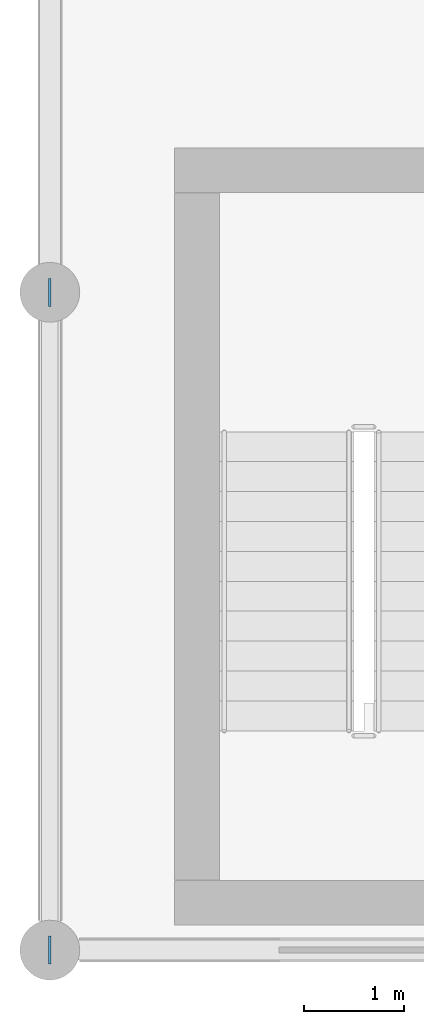
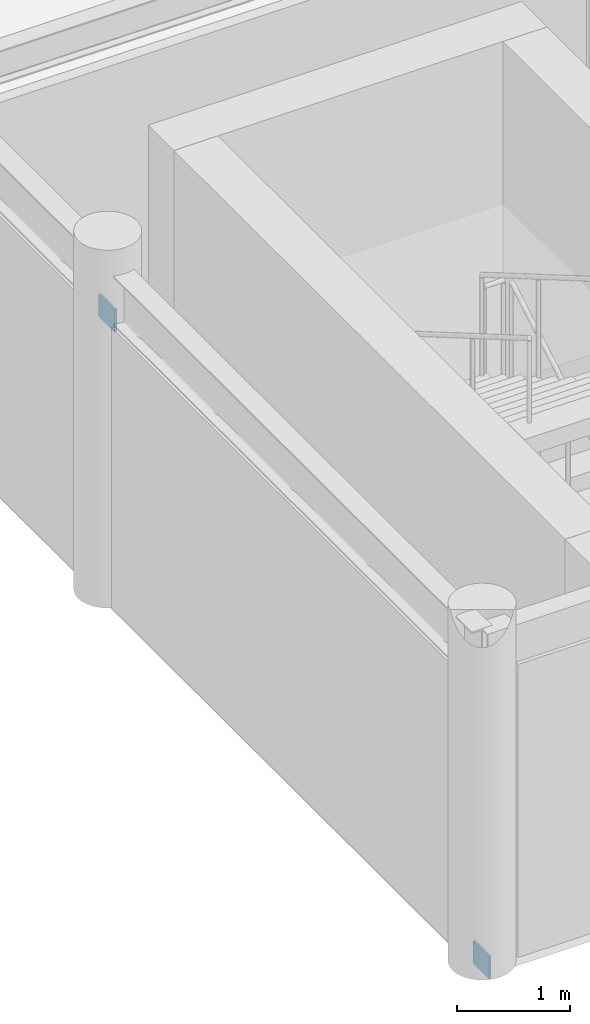
# One storey, part 13 of 17: 2 plates.
"""IFC4 building model written with IfcOpenShell, lengths in metres."""

import ifcopenshell
import ifcopenshell.guid

model = None  # the IFC model being written
_history = None  # IfcOwnerHistory: only IFC2X3 demands one
_inside = {}  # id of a spatial element -> (the spatial element, [elements in it])
_under = {}  # id of a project, library or spatial element -> (it, [spatial elements below it])
_declared = {}  # id of a project -> (the project, [libraries it declares])
_typed = {}  # id of a type object -> (the type object, [elements of that type])
_made_of = {}  # id of a material, layer set ... -> (it, [elements and type objects made of it])


def new_model(schema):
    """Start an empty IFC model of exactly this schema.

    Asked for "IFC4X3", IfcOpenShell would pick the latest addendum, in which some entities
    have other attributes; the version numbers below select the first issue.
    IFC2X3 requires an IfcOwnerHistory on every rooted entity: one is made here for all.
    """
    global model, _history
    if schema == "IFC4X3":
        model = ifcopenshell.file(schema_version=(4, 3, 0, 0))
    else:
        model = ifcopenshell.file(schema=schema)
    _inside.clear()
    _under.clear()
    _declared.clear()
    _typed.clear()
    _made_of.clear()
    _history = None
    if model.schema == "IFC2X3":
        org = make("IfcOrganization", Name="unknown")
        user = make(
            "IfcPersonAndOrganization",
            ThePerson=make("IfcPerson", FamilyName="unknown"),
            TheOrganization=org,
        )
        app = make(
            "IfcApplication",
            ApplicationDeveloper=org,
            Version="unknown",
            ApplicationFullName="unknown",
            ApplicationIdentifier="unknown",
        )
        _history = make(
            "IfcOwnerHistory",
            OwningUser=user,
            OwningApplication=app,
            ChangeAction="ADDED",
            CreationDate=0,
        )
    return model


def make(cls, **values):
    """One entity of the class cls with the attributes given. An attribute that is None is left unset."""
    return model.create_entity(
        cls, **{name: value for name, value in values.items() if value is not None}
    )


def rooted(cls, **values):
    """An entity with a GlobalId (a new one), such as an element, a storey or a relation."""
    return make(cls, GlobalId=ifcopenshell.guid.new(), OwnerHistory=_history, **values)


def si_unit(unit_type, name, prefix=None):
    """IfcSIUnit, for example si_unit("LENGTHUNIT", "METRE", prefix="MILLI")."""
    return make("IfcSIUnit", UnitType=unit_type, Prefix=prefix, Name=name)


def assignment(units):
    """IfcUnitAssignment: the units of a project."""
    return None if units is None else make("IfcUnitAssignment", Units=units)


def point(xyz):
    """IfcCartesianPoint."""
    return None if xyz is None else make("IfcCartesianPoint", Coordinates=xyz)


def direction(xyz):
    """IfcDirection."""
    return None if xyz is None else make("IfcDirection", DirectionRatios=xyz)


def frame(location, z_axis=None, x_axis=None):
    """IfcAxis2Placement3D, a coordinate frame: its origin and axes. An axis left out is left unset."""
    return make(
        "IfcAxis2Placement3D",
        Location=point(location),
        Axis=direction(z_axis),
        RefDirection=direction(x_axis),
    )


def frame_2d(location, x_axis=None):
    """IfcAxis2Placement2D, a coordinate frame in the plane: its origin and x axis."""
    return make(
        "IfcAxis2Placement2D", Location=point(location), RefDirection=direction(x_axis)
    )


def origin():
    """The frame at (0, 0, 0) with its axes left unset."""
    return frame((0.0, 0.0, 0.0))


def origin_2d():
    """The frame at (0, 0) in the plane with its x axis left unset."""
    return frame_2d((0.0, 0.0))


def place(relative_to, where):
    """IfcLocalPlacement: puts the frame where relative to a parent placement (None: the world)."""
    return make(
        "IfcLocalPlacement", PlacementRelTo=relative_to, RelativePlacement=where
    )


def context(
    kind, dimensions, precision=None, world=None, true_north=None, identifier=None
):
    """IfcGeometricRepresentationContext, for example the 3D "Model" context."""
    return make(
        "IfcGeometricRepresentationContext",
        ContextIdentifier=identifier,
        ContextType=kind,
        CoordinateSpaceDimension=dimensions,
        Precision=precision,
        WorldCoordinateSystem=world,
        TrueNorth=true_north,
    )


def subcontext(parent, identifier, kind, view, scale=None):
    """IfcGeometricRepresentationSubContext, for example "Body" below "Model"."""
    return make(
        "IfcGeometricRepresentationSubContext",
        ContextIdentifier=identifier,
        ContextType=kind,
        ParentContext=parent,
        TargetScale=scale,
        TargetView=view,
    )


def project(units=None, contexts=None):
    """IfcProject with its units and contexts."""
    return rooted(
        "IfcProject",
        Name="project",
        RepresentationContexts=contexts,
        UnitsInContext=assignment(units),
    )


def spatial(cls, under=None, at=None, **own):
    """A site, building, storey or space (cls), placed at a placement, below another one or the project."""
    s = rooted(cls, ObjectPlacement=at, **own)
    if under is not None:
        _under.setdefault(under.id(), (under, []))[1].append(s)
    return s


def profile(cls, at=None, kind="AREA", **sizes):
    """A parametric profile (cls). Its sizes go by their IFC names, for example OverallWidth=200.0."""
    return make(cls, ProfileType=kind, Position=at, **sizes)


def rectangle(**sizes):
    """IfcRectangleProfileDef."""
    return profile("IfcRectangleProfileDef", **sizes)


def extrude(swept, where, along, depth):
    """IfcExtrudedAreaSolid: the profile swept, set in the frame where, extruded along a direction by depth."""
    return make(
        "IfcExtrudedAreaSolid",
        SweptArea=swept,
        Position=where,
        ExtrudedDirection=direction(along),
        Depth=depth,
    )


def shape(context_of_items, identifier, shape_type, items):
    """IfcShapeRepresentation: the items that make up one representation, for example the "Body"."""
    return make(
        "IfcShapeRepresentation",
        ContextOfItems=context_of_items,
        RepresentationIdentifier=identifier,
        RepresentationType=shape_type,
        Items=items,
    )


def material(Name=None, Category=None):
    """IfcMaterial."""
    return make("IfcMaterial", Name=Name, Category=Category)


def layer(
    of_material, thickness, ventilated=None, Name=None, Category=None, Priority=None
):
    """IfcMaterialLayer: one layer of a wall or slab, of a material (None: an air gap)."""
    return make(
        "IfcMaterialLayer",
        Material=of_material,
        LayerThickness=thickness,
        IsVentilated=ventilated,
        Name=Name,
        Category=Category,
        Priority=Priority,
    )


def layer_set(layers, Name=None):
    """IfcMaterialLayerSet."""
    return make("IfcMaterialLayerSet", MaterialLayers=layers, LayerSetName=Name)


def made_of(thing, what):
    """Note that an element or type object is made of a material, layer set ...; save() writes the relation."""
    if what is not None:
        _made_of.setdefault(what.id(), (what, []))[1].append(thing)
    return thing


def type_object(cls, material=None, **own):
    """A type object (cls), such as IfcWallType, which elements share."""
    return made_of(rooted(cls, **own), material)


def element(
    cls,
    number,
    at=None,
    inside=None,
    cuts=None,
    type_object=None,
    material=None,
    context=None,
    identifier="Body",
    shape_type=None,
    held_by="IfcProductDefinitionShape",
    body=None,
    shapes=None,
    **own,
):
    """One element of the class cls, such as IfcWall. Its Tag is "e" and its number.

    at: its placement. inside: the storey or other place that contains it. cuts: it is an
    opening in that element (IfcRelVoidsElement). A single representation is given by context,
    identifier, shape_type and body (its items); several are given by shapes. held_by: the class
    of the entity that holds the representations. save() writes the other relations.
    """
    e = rooted(cls, Tag="e%d" % number, ObjectPlacement=at, **own)
    if body is not None:
        shapes = [shape(context, identifier, shape_type, body)]
    if shapes is not None:
        e.Representation = make(held_by, Representations=shapes)
    if inside is not None:
        _inside.setdefault(inside.id(), (inside, []))[1].append(e)
    if cuts is not None:
        rooted(
            "IfcRelVoidsElement", RelatingBuildingElement=cuts, RelatedOpeningElement=e
        )
    if type_object is not None:
        _typed.setdefault(type_object.id(), (type_object, []))[1].append(e)
    return made_of(e, material)


def aggregate(whole, parts):
    """IfcRelAggregates: a whole, such as a stair, and the parts it consists of."""
    return rooted("IfcRelAggregates", RelatingObject=whole, RelatedObjects=parts)


def save(model, path):
    """Write the relations noted so far, then the file.

    IfcRelAggregates (storeys below a building ...), IfcRelContainedInSpatialStructure (elements
    in a storey), IfcRelDefinesByType, IfcRelAssociatesMaterial and IfcRelDeclares: one each for
    every whole, place, type object, material and project.
    """
    for whole, parts in _under.values():
        aggregate(whole, parts)
    for where, things in _inside.values():
        rooted(
            "IfcRelContainedInSpatialStructure",
            RelatedElements=things,
            RelatingStructure=where,
        )
    for kind, things in _typed.values():
        rooted("IfcRelDefinesByType", RelatedObjects=things, RelatingType=kind)
    for what, things in _made_of.values():
        rooted("IfcRelAssociatesMaterial", RelatedObjects=things, RelatingMaterial=what)
    for by, libraries in _declared.values():
        rooted("IfcRelDeclares", RelatingContext=by, RelatedDefinitions=libraries)
    model.write(path)


model = new_model("IFC4")

# Units and contexts
model_context = context("Model", 3, precision=1e-05, world=origin(), true_north=direction((0.0, 1.0)))
body_context = subcontext(model_context, "Body", "Model", "MODEL_VIEW")
ifc_project = project(units=[si_unit("LENGTHUNIT", "METRE"), si_unit("AREAUNIT", "SQUARE_METRE"), si_unit("VOLUMEUNIT", "CUBIC_METRE"), si_unit("PLANEANGLEUNIT", "RADIAN"), si_unit("MASSUNIT", "GRAM", prefix="KILO")], contexts=[model_context])

# Site, building, storey
site_placement = place(None, origin())
site = spatial("IfcSite", under=ifc_project, at=site_placement, CompositionType="ELEMENT")
building_placement = place(site_placement, origin())
building = spatial("IfcBuilding", under=site, at=building_placement, Name="Karori Crest Natural Sciences Institute", CompositionType="ELEMENT")
storey_placement = place(building_placement, frame((0.0, 0.0, 38.14990234375)))
storey = spatial("IfcBuildingStorey", under=building, at=storey_placement, Name="L09", CompositionType="ELEMENT", Elevation=38.14990234375)

# Plates
ifc_material = material(Name="Structural steel AS/NZS 3679.1 Grade 350", Category="steel")
ifc_layer = layer(ifc_material, 0.02490234375, Name="Structural steel AS/NZS 3679.1 Grade 350")
ifc_layer_set = layer_set([ifc_layer], Name="Structural steel AS/NZS 3679.1 Grade 350")
plate_type = type_object("IfcPlateType", Name="PLT-06-EL", PredefinedType="SHEET", material=ifc_layer_set)
for number, where, z_axis, x_axis, name in (
    (1, (103.60009765625, 0.800048828125, -0.10986328125), (0.0, 0.0, 1.0), (0.0, 1.0, 0.0), "Brace gusset plate EP-0424"),
    (2, (103.60009765625, 7.39990234375, 2.84814453125), (0.0, 0.0, 1.0), (0.0, 1.0, 0.0), "Brace gusset plate EP-0425"),
):
    element("IfcPlate", number, at=place(storey_placement, frame(where, z_axis=z_axis, x_axis=x_axis)), inside=storey, type_object=plate_type, Name=name, PredefinedType="SHEET", context=body_context, shape_type="SweptSolid", body=[
        extrude(rectangle(XDim=0.280029296875, YDim=0.02490234375, at=origin_2d()), origin(), (0.0, 0.0, 1.0), 0.239990234375),
    ])

save(model, "model.ifc")
